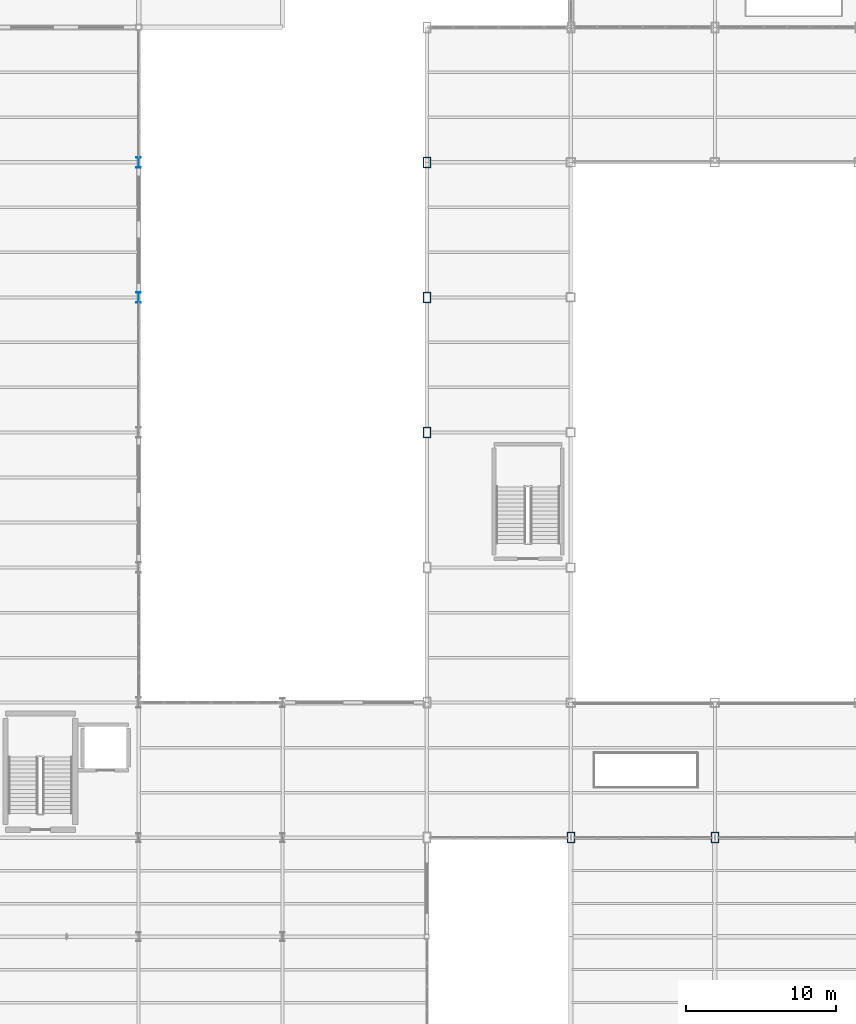
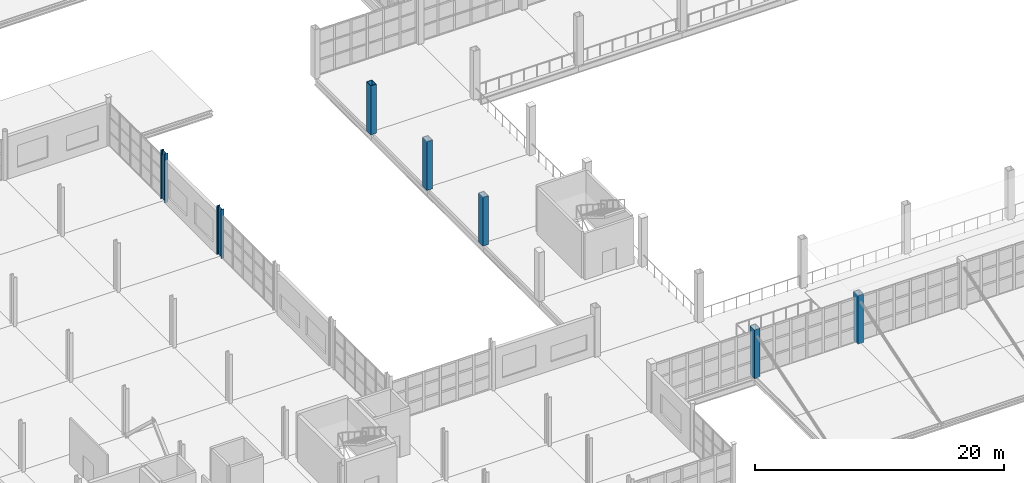
# One storey, part 4 of 120: 7 columns.
"""IFC4 building model written with IfcOpenShell, lengths in metres."""

from ifc_helpers import new_model, si_unit, direction, frame, origin, origin_2d, place, context, subcontext, project, spatial, hollow_rectangle, i_section, extrude, material, material_profile, profile_set, type_object, element, save


model = new_model("IFC4")

# Units and contexts
model_context = context("Model", 3, precision=1e-05, world=origin(), true_north=direction((0.0, 1.0)))
body_context = subcontext(model_context, "Body", "Model", "MODEL_VIEW")
ifc_project = project(units=[si_unit("LENGTHUNIT", "METRE"), si_unit("AREAUNIT", "SQUARE_METRE"), si_unit("VOLUMEUNIT", "CUBIC_METRE"), si_unit("PLANEANGLEUNIT", "RADIAN"), si_unit("MASSUNIT", "GRAM", prefix="KILO")], contexts=[model_context])

# Site, building, storey
site_placement = place(None, origin())
site = spatial("IfcSite", under=ifc_project, at=site_placement, CompositionType="ELEMENT")
building_placement = place(site_placement, origin())
building = spatial("IfcBuilding", under=site, at=building_placement, Name="Zarnetskaya Central Station", CompositionType="ELEMENT")
storey_placement = place(building_placement, frame((0.0, 0.0, 5.39990234375)))
storey = spatial("IfcBuildingStorey", under=building, at=storey_placement, Name="L01", CompositionType="ELEMENT", Elevation=5.39990234375)

# Columns
ifc_material = material(Name="Steel S355", Category="steel")
ifc_material_profile_1 = material_profile(ifc_material, hollow_rectangle(XDim=0.5, YDim=0.699951171875, WallThickness=0.031982421875, at=origin_2d()), Name="BOX 700x500x32")
ifc_profile_set_1 = profile_set([ifc_material_profile_1], Name="Steel S355")
column_type_1 = type_object("IfcColumnType", Name="COL-V2-HALL", PredefinedType="COLUMN", material=ifc_profile_set_1)
for number, where, z_axis, x_axis, name in (
    (1, (57.60009765625, 40.199951171875, 0.0), (0.0, 0.0, 1.0), (1.0, 0.0, 0.0), "Column G6 L01"),
    (2, (57.60009765625, 49.199951171875, 0.0), (0.0, 0.0, 1.0), (1.0, 0.0, 0.0), "Column G7 L01"),
):
    element("IfcColumn", number, at=place(storey_placement, frame(where, z_axis=z_axis, x_axis=x_axis)), inside=storey, type_object=column_type_1, Name=name, PredefinedType="COLUMN", context=body_context, shape_type="SweptSolid", body=[
        extrude(hollow_rectangle(XDim=0.5, YDim=0.699951171875, WallThickness=0.031982421875, at=origin_2d()), origin(), (0.0, 0.0, 1.0), 4.7880859375),
    ])
column_placement = place(storey_placement, frame((57.60009765625, 58.199951171875, 0.0), z_axis=(0.0, 0.0, 1.0), x_axis=(1.0, 0.0, 0.0)))
element("IfcColumn", 3, at=column_placement, inside=storey, type_object=column_type_1, Name="Column G8 L01", PredefinedType="COLUMN", context=body_context, shape_type="SweptSolid", body=[
    extrude(hollow_rectangle(XDim=0.5, YDim=0.699951171875, WallThickness=0.031982421875, at=origin_2d()), origin(), (0.0, 0.0, 1.0), 4.800048828125),
])
for number, where, z_axis, x_axis, name in (
    (4, (67.199951171875, 13.199951171875, 0.0), (0.0, 0.0, 1.0), (1.0, 0.0, 0.0), "Column H3 L01"),
    (5, (76.800048828125, 13.199951171875, 0.0), (0.0, 0.0, 1.0), (1.0, 0.0, 0.0), "Column J3 L01"),
):
    element("IfcColumn", number, at=place(storey_placement, frame(where, z_axis=z_axis, x_axis=x_axis)), inside=storey, type_object=column_type_1, Name=name, PredefinedType="COLUMN", context=body_context, shape_type="SweptSolid", body=[
        extrude(hollow_rectangle(XDim=0.5, YDim=0.699951171875, WallThickness=0.031982421875, at=origin_2d()), origin(), (0.0, 0.0, 1.0), 4.7880859375),
    ])
ifc_material_profile_2 = material_profile(ifc_material, i_section(OverallWidth=0.300048828125, OverallDepth=0.699951171875, WebThickness=0.01708984375, FlangeThickness=0.031982421875, FilletRadius=0.027099609375, at=origin_2d()), Name="HEB 700")
ifc_profile_set_2 = profile_set([ifc_material_profile_2], Name="Steel S355")
column_type_2 = type_object("IfcColumnType", Name="COL-V5-LOW-E", PredefinedType="COLUMN", material=ifc_profile_set_2)
for number, where, z_axis, x_axis, name in (
    (6, (38.39990234375, 49.199951171875, 0.0), (0.0, 0.0, 1.0), (1.0, 0.0, 0.0), "Column E7 L01"),
    (7, (38.39990234375, 58.199951171875, 0.0), (0.0, 0.0, 1.0), (1.0, 0.0, 0.0), "Column E8 L01"),
):
    element("IfcColumn", number, at=place(storey_placement, frame(where, z_axis=z_axis, x_axis=x_axis)), inside=storey, type_object=column_type_2, Name=name, PredefinedType="COLUMN", context=body_context, shape_type="SweptSolid", body=[
        extrude(i_section(OverallWidth=0.300048828125, OverallDepth=0.699951171875, WebThickness=0.01708984375, FlangeThickness=0.031982421875, FilletRadius=0.027099609375, at=origin_2d()), origin(), (0.0, 0.0, 1.0), 4.800048828125),
    ])

save(model, "model.ifc")
